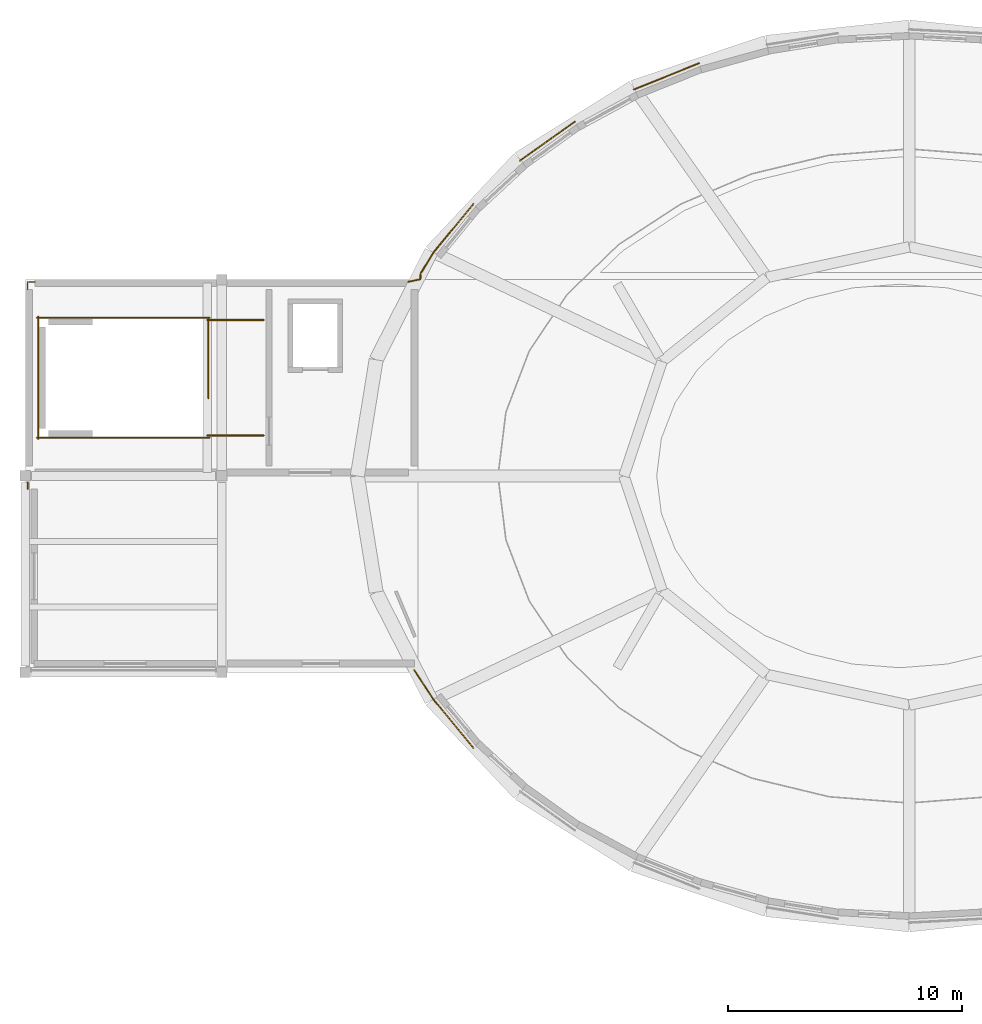
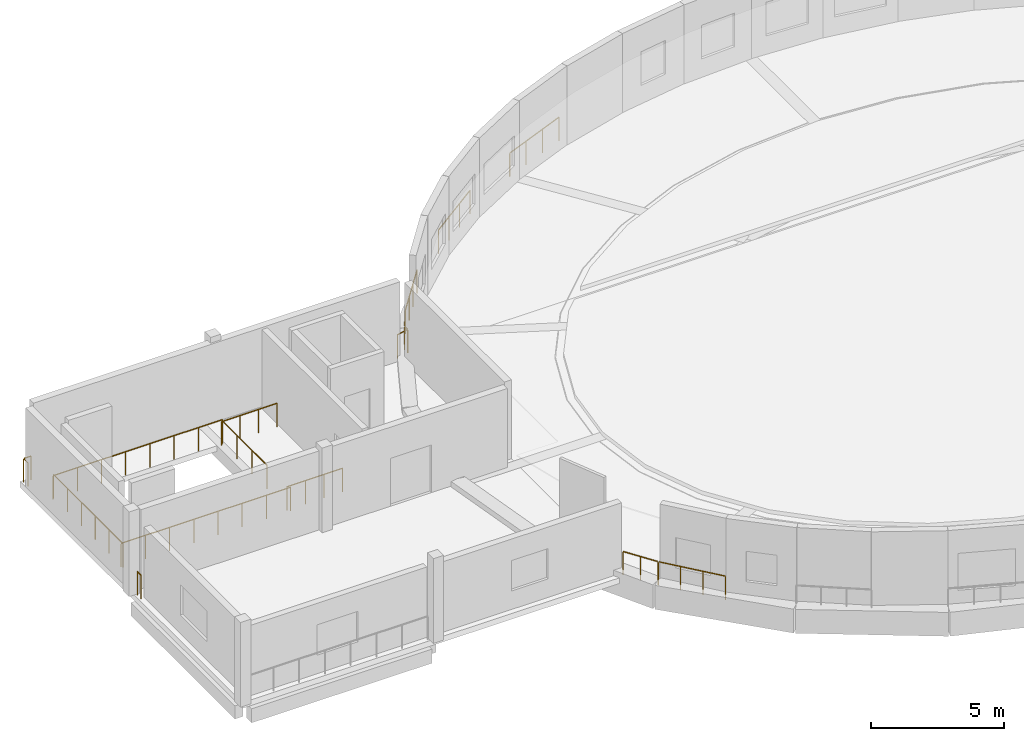
# One storey, part 13 of 16: 12 railings.
"""IFC4 building model written with IfcOpenShell, lengths in metres."""

from ifc_helpers import new_model, si_unit, derived_unit, direction, frame, origin, origin_2d, place, context, subcontext, project, spatial, circle, extrude, material, type_object, element, save


model = new_model("IFC4")

# Units and contexts
model_context = context("Model", 3, precision=1e-05, world=origin(), true_north=direction((0.0, 1.0)))
body_context = subcontext(model_context, "Body", "Model", "MODEL_VIEW")
ifc_project = project(units=[si_unit("LENGTHUNIT", "METRE"), si_unit("AREAUNIT", "SQUARE_METRE"), si_unit("VOLUMEUNIT", "CUBIC_METRE"), si_unit("PLANEANGLEUNIT", "RADIAN"), si_unit("MASSUNIT", "GRAM", prefix="KILO"), derived_unit("THERMALTRANSMITTANCEUNIT", [(si_unit("POWERUNIT", "WATT"), 1), (si_unit("LENGTHUNIT", "METRE"), -2), (si_unit("THERMODYNAMICTEMPERATUREUNIT", "KELVIN"), -1)])], contexts=[model_context])

# Site, building, storey
site_placement = place(None, origin())
site = spatial("IfcSite", under=ifc_project, at=site_placement, CompositionType="ELEMENT")
building_placement = place(site_placement, origin())
building = spatial("IfcBuilding", under=site, at=building_placement, Name="Elbkamm Science Centre", CompositionType="ELEMENT")
storey_placement = place(building_placement, frame((0.0, 0.0, 21.60009765625)))
storey = spatial("IfcBuildingStorey", under=building, at=storey_placement, Name="L05", CompositionType="ELEMENT", Elevation=21.60009765625)

# Railings
ifc_material = material(Name="Stainless steel EN 1.4401", Category="steel")
railing_type_1 = type_object("IfcRailingType", Name="RAIL-EXT-GUARD-1100", PredefinedType="GUARDRAIL", material=ifc_material)
railing_1_placement = place(storey_placement, frame((25.300048828125, 66.64990234375, 0.0)))
element("IfcRailing", 1, at=railing_1_placement, inside=storey, type_object=railing_type_1, Name="L05 Slab Edge Perimeter Guard 111", PredefinedType="GUARDRAIL", context=body_context, shape_type="SweptSolid", body=[
    extrude(circle(Radius=0.02392578125, at=origin_2d()), frame((0.0, 0.0, 1.078125), z_axis=(0.0, 1.0, 0.0), x_axis=(-1.0, 0.0, 0.0)), (0.0, 0.0, 1.0), 0.27001953125),
    extrude(circle(Radius=0.02001953125, at=origin_2d()), origin(), (0.0, 0.0, 1.0), 1.048095703125),
    extrude(circle(Radius=0.02001953125, at=origin_2d()), frame((0.0, 0.27001953125, 0.0)), (0.0, 0.0, 1.0), 1.048095703125),
])
railing_2_placement = place(storey_placement, frame((25.300048828125, 75.179931640625, 0.0)))
element("IfcRailing", 2, at=railing_2_placement, inside=storey, type_object=railing_type_1, Name="L05 Slab Edge Perimeter Guard 112", PredefinedType="GUARDRAIL", context=body_context, shape_type="SweptSolid", body=[
    extrude(circle(Radius=0.02392578125, at=origin_2d()), frame((0.0, 0.0, 1.078125), z_axis=(0.0, 1.0, 0.0), x_axis=(-1.0, 0.0, 0.0)), (0.0, 0.0, 1.0), 0.2900390625),
    extrude(circle(Radius=0.02392578125, at=origin_2d()), frame((0.030029296875, 0.320068359375, 1.078125), z_axis=(1.0, 0.0, 0.0), x_axis=(0.0, 1.0, 0.0)), (0.0, 0.0, 1.0), 0.2900390625),
    extrude(circle(Radius=0.02001953125, at=origin_2d()), origin(), (0.0, 0.0, 1.0), 1.048095703125),
    extrude(circle(Radius=0.02001953125, at=origin_2d()), frame((0.0, 0.320068359375, 0.0)), (0.0, 0.0, 1.0), 1.048095703125),
    extrude(circle(Radius=0.02001953125, at=origin_2d()), frame((0.320068359375, 0.320068359375, 0.0)), (0.0, 0.0, 1.0), 1.048095703125),
])
railing_3_placement = place(storey_placement, frame((41.580078125, 75.5, 0.0)))
element("IfcRailing", 3, at=railing_3_placement, inside=storey, type_object=railing_type_1, Name="L05 Slab Edge Perimeter Guard 113", PredefinedType="GUARDRAIL", context=body_context, shape_type="SweptSolid", body=[
    extrude(circle(Radius=0.02392578125, at=origin_2d()), frame((0.0, 0.0, 1.078125), z_axis=(0.976605965689, 0.215036712633, 0.0), x_axis=(-0.215036712633, 0.976605965689, 0.0)), (0.0, 0.0, 1.0), 0.50244140625),
    extrude(circle(Radius=0.02392578125, at=origin_2d()), frame((0.52001953125, 0.14453125, 1.078125), z_axis=(0.0, 1.0, 0.0), x_axis=(-1.0, 0.0, 0.0)), (0.0, 0.0, 1.0), 0.170654296875),
    extrude(circle(Radius=0.02392578125, at=origin_2d()), frame((0.53564453125, 0.370849609375, 1.078125), z_axis=(0.518188209326, 0.855266613236, 0.0), x_axis=(-0.855266613236, 0.518188209326, 0.0)), (0.0, 0.0, 1.0), 0.98876953125),
    extrude(circle(Radius=0.02392578125, at=origin_2d()), frame((1.08251953125, 1.265380859375, 1.078125), z_axis=(0.635435360286, 0.772154066814, 0.0), x_axis=(-0.772154066814, 0.635435360286, 0.0)), (0.0, 0.0, 1.0), 2.67724609375),
    extrude(circle(Radius=0.02001953125, at=origin_2d()), origin(), (0.0, 0.0, 1.0), 1.048095703125),
    extrude(circle(Radius=0.02001953125, at=origin_2d()), frame((0.52001953125, 0.114501953125, 0.0)), (0.0, 0.0, 1.0), 1.048095703125),
    extrude(circle(Radius=0.02001953125, at=origin_2d()), frame((0.52001953125, 0.34521484375, 0.0)), (0.0, 0.0, 1.0), 1.048095703125),
    extrude(circle(Radius=0.02001953125, at=origin_2d()), frame((1.0634765625, 1.2421875, 0.0)), (0.0, 0.0, 1.0), 1.048095703125),
    extrude(circle(Radius=0.02001953125, at=origin_2d()), frame((1.636962890625, 1.93896484375, 0.0)), (0.0, 0.0, 1.0), 1.048095703125),
    extrude(circle(Radius=0.02001953125, at=origin_2d()), frame((2.210205078125, 2.6357421875, 0.0)), (0.0, 0.0, 1.0), 1.048095703125),
    extrude(circle(Radius=0.02001953125, at=origin_2d()), frame((2.78369140625, 3.33251953125, 0.0)), (0.0, 0.0, 1.0), 1.048095703125),
])
railing_4_placement = place(storey_placement, frame((46.3623046875, 80.6865234375, 0.0)))
element("IfcRailing", 4, at=railing_4_placement, inside=storey, type_object=railing_type_1, Name="L05 Slab Edge Perimeter Guard 114", PredefinedType="GUARDRAIL", context=body_context, shape_type="SweptSolid", body=[
    extrude(circle(Radius=0.02392578125, at=origin_2d()), frame((0.0, 0.0, 1.078125), z_axis=(0.813997450697, 0.580868444882, 0.0), x_axis=(-0.580868444882, 0.813997450697, 0.0)), (0.0, 0.0, 1.0), 2.87353515625),
    extrude(circle(Radius=0.02001953125, at=origin_2d()), origin(), (0.0, 0.0, 1.0), 1.048095703125),
    extrude(circle(Radius=0.02001953125, at=origin_2d()), frame((0.77978515625, 0.556396484375, 0.0)), (0.0, 0.0, 1.0), 1.048095703125),
    extrude(circle(Radius=0.02001953125, at=origin_2d()), frame((1.559326171875, 1.11279296875, 0.0)), (0.0, 0.0, 1.0), 1.048095703125),
    extrude(circle(Radius=0.02001953125, at=origin_2d()), frame((2.339111328125, 1.669189453125, 0.0)), (0.0, 0.0, 1.0), 1.048095703125),
])
railing_5_placement = place(storey_placement, frame((51.228271484375, 83.729248046875, 0.0)))
element("IfcRailing", 5, at=railing_5_placement, inside=storey, type_object=railing_type_1, Name="L05 Slab Edge Perimeter Guard 115", PredefinedType="GUARDRAIL", context=body_context, shape_type="SweptSolid", body=[
    extrude(circle(Radius=0.02392578125, at=origin_2d()), frame((0.0, 0.0, 1.078125), z_axis=(0.928061300676, 0.372427472386, 0.0), x_axis=(-0.372427472386, 0.928061300676, 0.0)), (0.0, 0.0, 1.0), 3.003662109375),
    extrude(circle(Radius=0.02001953125, at=origin_2d()), origin(), (0.0, 0.0, 1.0), 1.048095703125),
    extrude(circle(Radius=0.02001953125, at=origin_2d()), frame((0.92919921875, 0.372802734375, 0.0)), (0.0, 0.0, 1.0), 1.048095703125),
    extrude(circle(Radius=0.02001953125, at=origin_2d()), frame((1.8583984375, 0.745849609375, 0.0)), (0.0, 0.0, 1.0), 1.048095703125),
    extrude(circle(Radius=0.02001953125, at=origin_2d()), frame((2.78759765625, 1.11865234375, 0.0)), (0.0, 0.0, 1.0), 1.048095703125),
])
railing_6_placement = place(storey_placement, frame((44.36376953125, 55.567626953125, 0.0)))
element("IfcRailing", 6, at=railing_6_placement, inside=storey, type_object=railing_type_1, Name="L05 Slab Edge Perimeter Guard 136", PredefinedType="GUARDRAIL", context=body_context, shape_type="SweptSolid", body=[
    extrude(circle(Radius=0.02392578125, at=origin_2d()), frame((0.0, 0.0, 1.078125), z_axis=(-0.635435360286, 0.772154066814, 0.0), x_axis=(-0.772154066814, -0.635435360286, 0.0)), (0.0, 0.0, 1.0), 2.67724609375),
    extrude(circle(Radius=0.02392578125, at=origin_2d()), frame((-1.736572265625, 2.115478515625, 1.078125), z_axis=(-0.547351308923, 0.836902948149, 0.0), x_axis=(-0.836902948149, -0.547351308923, 0.0)), (0.0, 0.0, 1.0), 1.453857421875),
    extrude(circle(Radius=0.02001953125, at=origin_2d()), origin(), (0.0, 0.0, 1.0), 1.048095703125),
    extrude(circle(Radius=0.02001953125, at=origin_2d()), frame((-0.573486328125, 0.69677734375, 0.0)), (0.0, 0.0, 1.0), 1.048095703125),
    extrude(circle(Radius=0.02001953125, at=origin_2d()), frame((-1.146728515625, 1.3935546875, 0.0)), (0.0, 0.0, 1.0), 1.048095703125),
    extrude(circle(Radius=0.02001953125, at=origin_2d()), frame((-1.72021484375, 2.09033203125, 0.0)), (0.0, 0.0, 1.0), 1.048095703125),
    extrude(circle(Radius=0.02001953125, at=origin_2d()), frame((-2.12646484375, 2.71142578125, 0.0)), (0.0, 0.0, 1.0), 1.048095703125),
    extrude(circle(Radius=0.02001953125, at=origin_2d()), frame((-2.532470703125, 3.332275390625, 0.0)), (0.0, 0.0, 1.0), 1.048095703125),
])
railing_type_2 = type_object("IfcRailingType", Name="RAIL-GUARD-1100", PredefinedType="GUARDRAIL", material=ifc_material)
railing_7_placement = place(storey_placement, frame((33.030029296875, 73.919921875, 0.0)))
element("IfcRailing", 7, at=railing_7_placement, inside=storey, type_object=railing_type_2, Name="L05 ST-C1 top well guard 1", PredefinedType="GUARDRAIL", context=body_context, shape_type="SweptSolid", body=[
    extrude(circle(Radius=0.02392578125, at=origin_2d()), frame((0.0, 0.0, 1.078125), z_axis=(0.0, -1.0, 0.0), x_axis=(1.0, 0.0, 0.0)), (0.0, 0.0, 1.0), 3.389892578125),
    extrude(circle(Radius=0.02001953125, at=origin_2d()), origin(), (0.0, 0.0, 1.0), 1.048095703125),
    extrude(circle(Radius=0.02001953125, at=origin_2d()), frame((0.0, -1.1298828125, 0.0)), (0.0, 0.0, 1.0), 1.048095703125),
    extrude(circle(Radius=0.02001953125, at=origin_2d()), frame((0.0, -2.260009765625, 0.0)), (0.0, 0.0, 1.0), 1.048095703125),
    extrude(circle(Radius=0.02001953125, at=origin_2d()), frame((0.0, -3.389892578125, 0.0)), (0.0, 0.0, 1.0), 1.048095703125),
])
for number, where, name in (
    (8, (33.080078125, 73.969970703125, 0.0), "L05 ST-C1 top well guard 2"),
    (9, (33.080078125, 68.830078125, 0.0), "L05 ST-C1 top well guard 3"),
):
    element("IfcRailing", number, at=place(storey_placement, frame(where)), inside=storey, type_object=railing_type_2, Name=name, PredefinedType="GUARDRAIL", context=body_context, shape_type="SweptSolid", body=[
        extrude(circle(Radius=0.02392578125, at=origin_2d()), frame((0.0, 0.0, 1.078125), z_axis=(-1.0, 0.0, 0.0), x_axis=(0.0, -1.0, 0.0)), (0.0, 0.0, 1.0), 7.380126953125),
        extrude(circle(Radius=0.02001953125, at=origin_2d()), origin(), (0.0, 0.0, 1.0), 1.048095703125),
        extrude(circle(Radius=0.02001953125, at=origin_2d()), frame((-1.05419921875, 0.0, 0.0)), (0.0, 0.0, 1.0), 1.048095703125),
        extrude(circle(Radius=0.02001953125, at=origin_2d()), frame((-2.108642578125, 0.0, 0.0)), (0.0, 0.0, 1.0), 1.048095703125),
        extrude(circle(Radius=0.02001953125, at=origin_2d()), frame((-3.162841796875, 0.0, 0.0)), (0.0, 0.0, 1.0), 1.048095703125),
        extrude(circle(Radius=0.02001953125, at=origin_2d()), frame((-4.21728515625, 0.0, 0.0)), (0.0, 0.0, 1.0), 1.048095703125),
        extrude(circle(Radius=0.02001953125, at=origin_2d()), frame((-5.271484375, 0.0, 0.0)), (0.0, 0.0, 1.0), 1.048095703125),
        extrude(circle(Radius=0.02001953125, at=origin_2d()), frame((-6.325927734375, 0.0, 0.0)), (0.0, 0.0, 1.0), 1.048095703125),
        extrude(circle(Radius=0.02001953125, at=origin_2d()), frame((-7.380126953125, 0.0, 0.0)), (0.0, 0.0, 1.0), 1.048095703125),
    ])
railing_8_placement = place(storey_placement, frame((25.75, 74.02001953125, 0.0)))
element("IfcRailing", 10, at=railing_8_placement, inside=storey, type_object=railing_type_2, Name="L05 ST-C1 top well guard 4", PredefinedType="GUARDRAIL", context=body_context, shape_type="SweptSolid", body=[
    extrude(circle(Radius=0.02392578125, at=origin_2d()), frame((0.0, 0.0, 1.078125), z_axis=(0.0, -1.0, 0.0), x_axis=(1.0, 0.0, 0.0)), (0.0, 0.0, 1.0), 5.239990234375),
    extrude(circle(Radius=0.02001953125, at=origin_2d()), origin(), (0.0, 0.0, 1.0), 1.048095703125),
    extrude(circle(Radius=0.02001953125, at=origin_2d()), frame((0.0, -1.048095703125, 0.0)), (0.0, 0.0, 1.0), 1.048095703125),
    extrude(circle(Radius=0.02001953125, at=origin_2d()), frame((0.0, -2.095947265625, 0.0)), (0.0, 0.0, 1.0), 1.048095703125),
    extrude(circle(Radius=0.02001953125, at=origin_2d()), frame((0.0, -3.14404296875, 0.0)), (0.0, 0.0, 1.0), 1.048095703125),
    extrude(circle(Radius=0.02001953125, at=origin_2d()), frame((0.0, -4.19189453125, 0.0)), (0.0, 0.0, 1.0), 1.048095703125),
    extrude(circle(Radius=0.02001953125, at=origin_2d()), frame((0.0, -5.239990234375, 0.0)), (0.0, 0.0, 1.0), 1.048095703125),
])
for number, where, name in (
    (11, (35.39990234375, 73.8701171875, 0.0), "L05 ST-C1 top well guard 5"),
    (12, (35.39990234375, 68.929931640625, 0.0), "L05 ST-C1 top well guard 6"),
):
    element("IfcRailing", number, at=place(storey_placement, frame(where)), inside=storey, type_object=railing_type_2, Name=name, PredefinedType="GUARDRAIL", context=body_context, shape_type="SweptSolid", body=[
        extrude(circle(Radius=0.02392578125, at=origin_2d()), frame((0.0, 0.0, 1.078125), z_axis=(-1.0, 0.0, 0.0), x_axis=(0.0, -1.0, 0.0)), (0.0, 0.0, 1.0), 2.419921875),
        extrude(circle(Radius=0.02001953125, at=origin_2d()), origin(), (0.0, 0.0, 1.0), 1.048095703125),
        extrude(circle(Radius=0.02001953125, at=origin_2d()), frame((-0.806640625, 0.0, 0.0)), (0.0, 0.0, 1.0), 1.048095703125),
        extrude(circle(Radius=0.02001953125, at=origin_2d()), frame((-1.61328125, 0.0, 0.0)), (0.0, 0.0, 1.0), 1.048095703125),
        extrude(circle(Radius=0.02001953125, at=origin_2d()), frame((-2.419921875, 0.0, 0.0)), (0.0, 0.0, 1.0), 1.048095703125),
    ])

save(model, "model.ifc")
